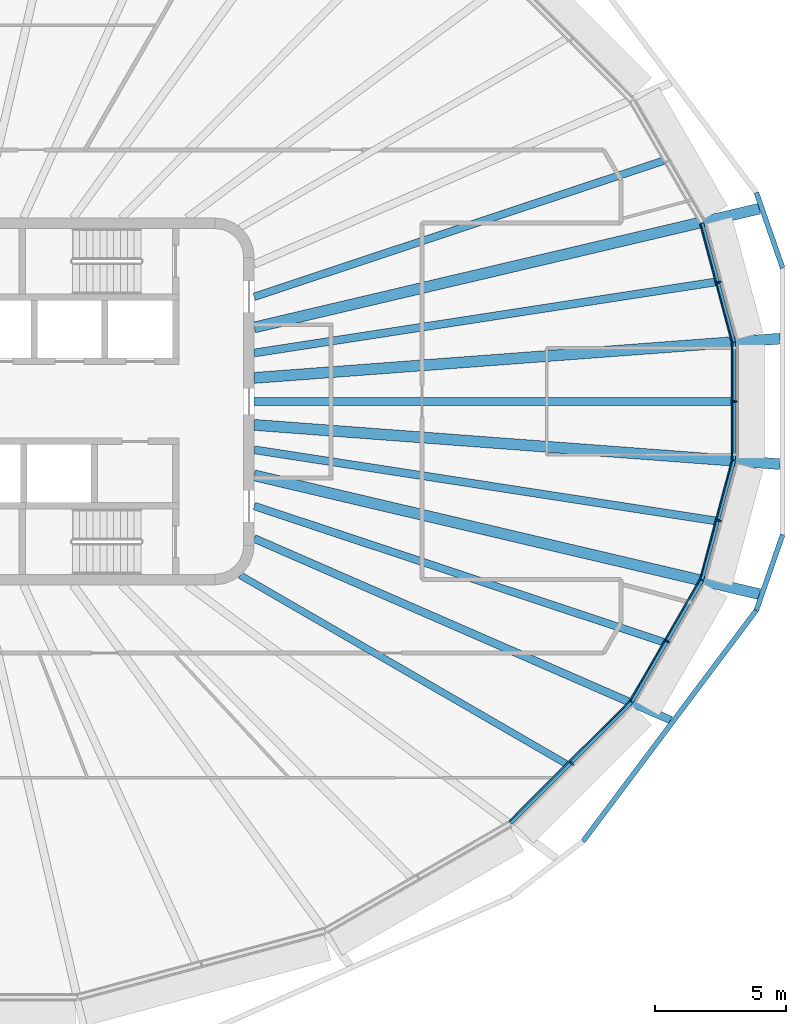
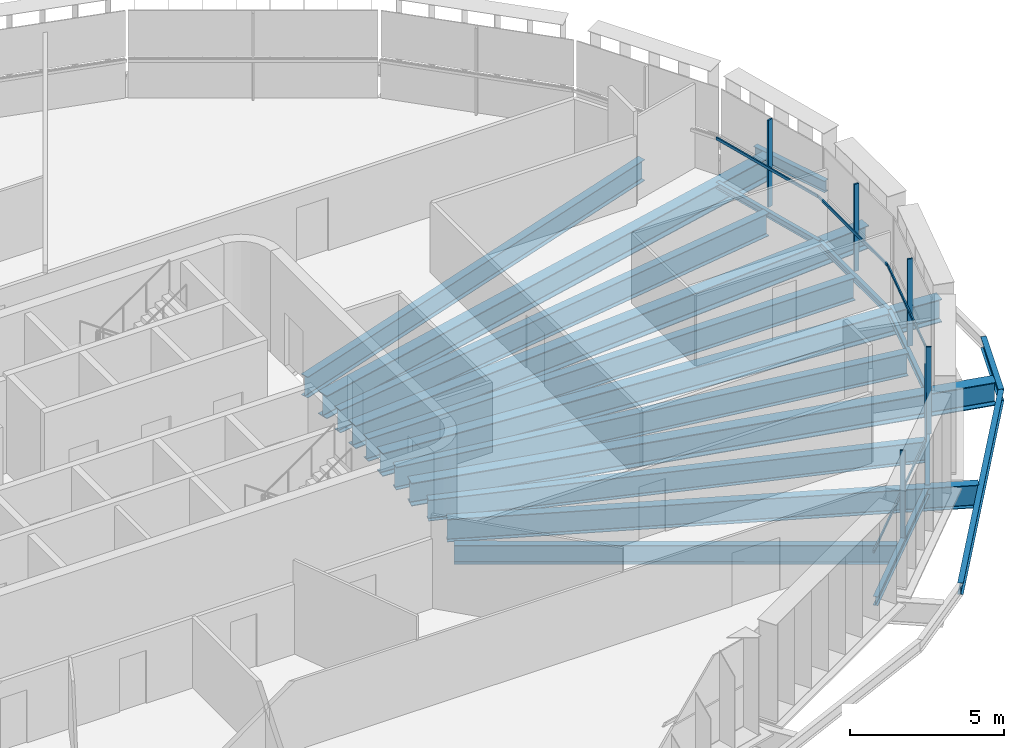
# One storey, part 4 of 20: 19 beams, 10 members, 5 elements without a shape of their own.
"""IFC4 building model written with IfcOpenShell, lengths in metres."""

from ifc_helpers import new_model, si_unit, direction, frame, origin, origin_2d, place, context, subcontext, project, spatial, rectangle, i_section, extrude, material, layer, layer_set, material_profile, profile_set, type_object, element, aggregate, save


model = new_model("IFC4")

# Units and contexts
model_context = context("Model", 3, precision=1e-05, world=origin(), true_north=direction((0.0, 1.0)))
body_context = subcontext(model_context, "Body", "Model", "MODEL_VIEW")
ifc_project = project(units=[si_unit("LENGTHUNIT", "METRE"), si_unit("AREAUNIT", "SQUARE_METRE"), si_unit("VOLUMEUNIT", "CUBIC_METRE"), si_unit("PLANEANGLEUNIT", "RADIAN"), si_unit("MASSUNIT", "GRAM", prefix="KILO")], contexts=[model_context])

# Site, building, storey
site_placement = place(None, origin())
site = spatial("IfcSite", under=ifc_project, at=site_placement, CompositionType="ELEMENT")
building_placement = place(site_placement, origin())
building = spatial("IfcBuilding", under=site, at=building_placement, Name="Sahrelin Media Tower", CompositionType="ELEMENT")
storey_placement = place(building_placement, frame((0.0, 0.0, 237.60009765625)))
storey = spatial("IfcBuildingStorey", under=building, at=storey_placement, Name="L51", CompositionType="ELEMENT", Elevation=237.60009765625)

# Beams
ifc_material_1 = material(Name="Steel S355", Category="steel")
ifc_material_profile_1 = material_profile(ifc_material_1, i_section(OverallWidth=0.14599609375, OverallDepth=0.25146484375, WebThickness=0.006103515625, FlangeThickness=0.008544921875, FilletRadius=0.007568359375, at=origin_2d()), Name="UB 254x146x31")
ifc_profile_set_1 = profile_set([ifc_material_profile_1], Name="Steel S355")
beam_type_1 = type_object("IfcBeamType", Name="Edge beam EB1", PredefinedType="BEAM", material=ifc_profile_set_1)
beam_1_placement = place(storey_placement, frame((30.300048828125, 2.240234375, -0.27587890625), z_axis=(0.0, -1.0, 0.0), x_axis=(1.0, 0.0, 0.0)))
element("IfcBeam", 1, at=beam_1_placement, inside=storey, type_object=beam_type_1, Name="Edge beam L51-01", PredefinedType="BEAM", context=body_context, shape_type="SweptSolid", body=[
    extrude(i_section(OverallWidth=0.14599609375, OverallDepth=0.25146484375, WebThickness=0.006103515625, FlangeThickness=0.008544921875, FilletRadius=0.007568359375, at=origin_2d()), origin(), (0.0, 0.0, 1.0), 4.48046875),
])
for number, where, z_axis, x_axis, name in (
    (2, (30.296142578125, -2.268798828125, -0.27587890625), (-0.258770785767, -0.965938756047, 0.0), (0.965938756047, -0.258770785767, 0.0), "Edge beam L51-02"),
    (3, (29.082763671875, 6.798095703125, -0.27587890625), (0.258770785767, -0.965938756047, 0.0), (0.965938756047, 0.258770785767, 0.0), "Edge beam L51-24"),
):
    element("IfcBeam", number, at=place(storey_placement, frame(where, z_axis=z_axis, x_axis=x_axis)), inside=storey, type_object=beam_type_1, Name=name, PredefinedType="BEAM", context=body_context, shape_type="SweptSolid", body=[
        extrude(i_section(OverallWidth=0.14599609375, OverallDepth=0.25146484375, WebThickness=0.006103515625, FlangeThickness=0.008544921875, FilletRadius=0.007568359375, at=origin_2d()), origin(), (0.0, 0.0, 1.0), 4.68896484375),
    ])
ifc_material_profile_2 = material_profile(ifc_material_1, i_section(OverallWidth=0.1650390625, OverallDepth=0.303466796875, WebThickness=0.006103515625, FlangeThickness=0.01025390625, FilletRadius=0.0087890625, at=origin_2d()), Name="UB 305x165x40")
ifc_profile_set_2 = profile_set([ifc_material_profile_2], Name="Steel S355")
beam_type_2 = type_object("IfcBeamType", Name="Edge beam EB2", PredefinedType="BEAM", material=ifc_profile_set_2)
beam_2_placement = place(storey_placement, frame((29.07177734375, -6.82470703125, -0.3017578125), z_axis=(-0.500034814518, -0.86600530268, 0.0), x_axis=(0.86600530268, -0.500034814518, 0.0)))
element("IfcBeam", 4, at=beam_2_placement, inside=storey, type_object=beam_type_2, Name="Edge beam L51-03", PredefinedType="BEAM", context=body_context, shape_type="SweptSolid", body=[
    extrude(i_section(OverallWidth=0.1650390625, OverallDepth=0.303466796875, WebThickness=0.006103515625, FlangeThickness=0.01025390625, FilletRadius=0.0087890625, at=origin_2d()), origin(), (0.0, 0.0, 1.0), 5.3447265625),
])
ifc_material_profile_3 = material_profile(ifc_material_1, i_section(OverallWidth=0.17138671875, OverallDepth=0.35498046875, WebThickness=0.00732421875, FlangeThickness=0.011474609375, FilletRadius=0.01025390625, at=origin_2d()), Name="UB 356x171x51")
ifc_profile_set_3 = profile_set([ifc_material_profile_3], Name="Steel S355")
beam_type_3 = type_object("IfcBeamType", Name="Edge beam EB3", PredefinedType="BEAM", material=ifc_profile_set_3)
beam_3_placement = place(storey_placement, frame((26.381591796875, -11.476318359375, -0.32763671875), z_axis=(-0.707106781187, -0.707106781187, 0.0), x_axis=(0.707106781187, -0.707106781187, 0.0)))
element("IfcBeam", 5, at=beam_3_placement, inside=storey, type_object=beam_type_3, Name="Edge beam L51-04", PredefinedType="BEAM", context=body_context, shape_type="SweptSolid", body=[
    extrude(i_section(OverallWidth=0.17138671875, OverallDepth=0.35498046875, WebThickness=0.00732421875, FlangeThickness=0.011474609375, FilletRadius=0.01025390625, at=origin_2d()), origin(), (0.0, 0.0, 1.0), 6.508544921875),
])

# Curtain wall, member
ifc_material_2 = material(Name="Champagne anodised aluminium 6063-T6", Category="aluminium")
ifc_layer = layer(ifc_material_2, 0.14990234375)
ifc_layer_set = layer_set([ifc_layer], Name="Tower ribbon curtain wall")
curtain_wall_type = type_object("IfcCurtainWallType", Name="Tower ribbon curtain wall", PredefinedType="NOTDEFINED", material=ifc_layer_set)
curtain_wall_1_placement = place(storey_placement, frame((30.449951171875, 0.0, 0.0), z_axis=(0.0, 0.0, 1.0), x_axis=(1.0, 0.0, 0.0)))
curtain_wall_1 = element("IfcCurtainWall", 6, at=curtain_wall_1_placement, inside=storey, type_object=curtain_wall_type, Name="L51:CW:L51-00", PredefinedType="NOTDEFINED")
ifc_material_profile_4 = material_profile(ifc_material_2, rectangle(XDim=0.06005859375, YDim=0.175048828125, at=origin_2d()), Name="Mullion 60x175")
ifc_profile_set_4 = profile_set([ifc_material_profile_4], Name="Champagne anodised aluminium 6063-T6")
member_type_1 = type_object("IfcMemberType", Name="Mullion 60x175 CW1B", PredefinedType="MULLION", material=ifc_profile_set_4)
member_1_placement = place(storey_placement, frame((30.342529296875, 0.0, 0.0), z_axis=(0.0, 0.0, 1.0), x_axis=(0.0, 1.0, 0.0)))
member_1 = element("IfcMember", 7, at=member_1_placement, type_object=member_type_1, Name="L51:CWM:L51-00", PredefinedType="MULLION", context=body_context, shape_type="SweptSolid", body=[
    extrude(rectangle(XDim=0.06005859375, YDim=0.175048828125, at=origin_2d()), origin(), (0.0, 0.0, 1.0), 3.448486328125),
])

curtain_wall_2_placement = place(storey_placement, frame((29.834228515625, 4.572265625, 0.0), z_axis=(0.0, 0.0, 1.0), x_axis=(1.0, 0.0, 0.0)))
curtain_wall_2 = element("IfcCurtainWall", 8, at=curtain_wall_2_placement, inside=storey, type_object=curtain_wall_type, Name="L51:CW:L51-01", PredefinedType="NOTDEFINED")
member_2_placement = place(storey_placement, frame((29.73046875, 4.54443359375, 0.0), z_axis=(0.0, 0.0, 1.0), x_axis=(-0.258812301662, 0.965927633163, 0.0)))
member_2 = element("IfcMember", 9, at=member_2_placement, type_object=member_type_1, Name="L51:CWM:L51-01", PredefinedType="MULLION", context=body_context, shape_type="SweptSolid", body=[
    extrude(rectangle(XDim=0.06005859375, YDim=0.175048828125, at=origin_2d()), origin(), (0.0, 0.0, 1.0), 3.448486328125),
])

curtain_wall_3_placement = place(storey_placement, frame((24.1865234375, -13.883544921875, 0.0), z_axis=(0.0, 0.0, 1.0), x_axis=(1.0, 0.0, 0.0)))
curtain_wall_3 = element("IfcCurtainWall", 10, at=curtain_wall_3_placement, inside=storey, type_object=curtain_wall_type, Name="L51:CW:L51-21", PredefinedType="NOTDEFINED")
member_3_placement = place(storey_placement, frame((24.110595703125, -13.807373046875, 0.0), z_axis=(0.0, 0.0, 1.0), x_axis=(0.707106781187, 0.707106781187, 0.0)))
member_3 = element("IfcMember", 11, at=member_3_placement, type_object=member_type_1, Name="L51:CWM:L51-21", PredefinedType="MULLION", context=body_context, shape_type="SweptSolid", body=[
    extrude(rectangle(XDim=0.06005859375, YDim=0.175048828125, at=origin_2d()), origin(), (0.0, 0.0, 1.0), 3.448486328125),
])

curtain_wall_4_placement = place(storey_placement, frame((27.865234375, -9.214111328125, 0.0), z_axis=(0.0, 0.0, 1.0), x_axis=(1.0, 0.0, 0.0)))
curtain_wall_4 = element("IfcCurtainWall", 12, at=curtain_wall_4_placement, inside=storey, type_object=curtain_wall_type, Name="L51:CW:L51-22", PredefinedType="NOTDEFINED")
member_4_placement = place(storey_placement, frame((27.772216796875, -9.16015625, 0.0), z_axis=(0.0, 0.0, 1.0), x_axis=(0.500009068969, 0.866020167749, 0.0)))
member_4 = element("IfcMember", 13, at=member_4_placement, type_object=member_type_1, Name="L51:CWM:L51-22", PredefinedType="MULLION", context=body_context, shape_type="SweptSolid", body=[
    extrude(rectangle(XDim=0.06005859375, YDim=0.175048828125, at=origin_2d()), origin(), (0.0, 0.0, 1.0), 3.448486328125),
])

curtain_wall_5_placement = place(storey_placement, frame((29.83447265625, -4.572265625, 0.0), z_axis=(0.0, 0.0, 1.0), x_axis=(1.0, 0.0, 0.0)))
curtain_wall_5 = element("IfcCurtainWall", 14, at=curtain_wall_5_placement, inside=storey, type_object=curtain_wall_type, Name="L51:CW:L51-23", PredefinedType="NOTDEFINED")
member_5_placement = place(storey_placement, frame((29.73046875, -4.54443359375, 0.0), z_axis=(0.0, 0.0, 1.0), x_axis=(0.258812301662, 0.965927633163, 0.0)))
member_5 = element("IfcMember", 15, at=member_5_placement, type_object=member_type_1, Name="L51:CWM:L51-23", PredefinedType="MULLION", context=body_context, shape_type="SweptSolid", body=[
    extrude(rectangle(XDim=0.06005859375, YDim=0.175048828125, at=origin_2d()), origin(), (0.0, 0.0, 1.0), 3.448486328125),
])

# Beams
ifc_material_profile_5 = material_profile(ifc_material_1, i_section(OverallWidth=0.30322265625, OverallDepth=0.903076171875, WebThickness=0.01513671875, FlangeThickness=0.020263671875, FilletRadius=0.01904296875, at=origin_2d()), Name="UB 914x305x201")
ifc_profile_set_5 = profile_set([ifc_material_profile_5], Name="Steel S355")
beam_type_4 = type_object("IfcBeamType", Name="Radial primary beam PB11", PredefinedType="BEAM", material=ifc_profile_set_5)
beam_4_placement = place(storey_placement, frame((12.0, -5.2314453125, -0.6015625), z_axis=(0.916675468722, -0.399632437427, 0.0), x_axis=(0.399632437427, 0.916675468722, 0.0)))
element("IfcBeam", 16, at=beam_4_placement, inside=storey, type_object=beam_type_4, Name="Radial beam L51-22", PredefinedType="BEAM", context=body_context, shape_type="SweptSolid", body=[
    extrude(i_section(OverallWidth=0.30322265625, OverallDepth=0.903076171875, WebThickness=0.01513671875, FlangeThickness=0.020263671875, FilletRadius=0.01904296875, at=origin_2d()), origin(), (0.0, 0.0, 1.0), 17.342041015625),
])
ifc_material_profile_6 = material_profile(ifc_material_1, i_section(OverallWidth=0.41845703125, OverallDepth=0.911865234375, WebThickness=0.019287109375, FlangeThickness=0.031982421875, FilletRadius=0.024169921875, at=origin_2d()), Name="UB 914x419x343")
ifc_profile_set_6 = profile_set([ifc_material_profile_6], Name="Steel S355")
beam_type_5 = type_object("IfcBeamType", Name="Radial primary beam PB12", PredefinedType="BEAM", material=ifc_profile_set_6)
beam_5_placement = place(storey_placement, frame((12.0, 0.896484375, -0.60595703125), z_axis=(0.997222650393, 0.074478087676, 0.0), x_axis=(-0.074478087676, 0.997222650393, 0.0)))
element("IfcBeam", 17, at=beam_5_placement, inside=storey, type_object=beam_type_5, Name="Radial beam L51-01", PredefinedType="BEAM", context=body_context, shape_type="SweptSolid", body=[
    extrude(i_section(OverallWidth=0.41845703125, OverallDepth=0.911865234375, WebThickness=0.019287109375, FlangeThickness=0.031982421875, FilletRadius=0.024169921875, at=origin_2d()), origin(), (0.0, 0.0, 1.0), 20.123779296875),
])
for number, where, z_axis, x_axis, name in (
    (18, (12.0, 2.8212890625, -0.60595703125), (0.973452730745, 0.228888140814, 0.0), (-0.228888140814, 0.973452730745, 0.0), "Radial beam L51-02"),
    (19, (12.0, -2.8212890625, -0.60595703125), (0.973452730745, -0.228888140814, 0.0), (0.228888140814, 0.973452730745, 0.0), "Radial beam L51-23"),
):
    element("IfcBeam", number, at=place(storey_placement, frame(where, z_axis=z_axis, x_axis=x_axis)), inside=storey, type_object=beam_type_5, Name=name, PredefinedType="BEAM", context=body_context, shape_type="SweptSolid", body=[
        extrude(i_section(OverallWidth=0.41845703125, OverallDepth=0.911865234375, WebThickness=0.019287109375, FlangeThickness=0.031982421875, FilletRadius=0.024169921875, at=origin_2d()), origin(), (0.0, 0.0, 1.0), 19.801025390625),
    ])
beam_6_placement = place(storey_placement, frame((12.0, -0.896484375, -0.60595703125), z_axis=(0.997222650393, -0.074478087676, 0.0), x_axis=(0.074478087676, 0.997222650393, 0.0)))
element("IfcBeam", 20, at=beam_6_placement, inside=storey, type_object=beam_type_5, Name="Radial beam L51-24", PredefinedType="BEAM", context=body_context, shape_type="SweptSolid", body=[
    extrude(i_section(OverallWidth=0.41845703125, OverallDepth=0.911865234375, WebThickness=0.019287109375, FlangeThickness=0.031982421875, FilletRadius=0.024169921875, at=origin_2d()), origin(), (0.0, 0.0, 1.0), 20.123779296875),
])
ifc_material_profile_7 = material_profile(ifc_material_1, i_section(OverallWidth=0.291748046875, OverallDepth=0.8349609375, WebThickness=0.013916015625, FlangeThickness=0.018798828125, FilletRadius=0.017822265625, at=origin_2d()), Name="UB 838x292x176")
ifc_profile_set_7 = profile_set([ifc_material_profile_7], Name="Steel S355")
beam_type_6 = type_object("IfcBeamType", Name="Radial secondary beam SB10", PredefinedType="BEAM", material=ifc_profile_set_7)
for number, where, z_axis, x_axis, name in (
    (21, (12.0, 3.990234375, -0.567626953125), (0.948913009395, 0.315537795835, 0.0), (-0.315537795835, 0.948913009395, 0.0), "Secondary beam L51-02"),
    (22, (12.0, -3.990234375, -0.567626953125), (0.948913009395, -0.315537795835, 0.0), (0.315537795835, 0.948913009395, 0.0), "Secondary beam L51-22"),
):
    element("IfcBeam", number, at=place(storey_placement, frame(where, z_axis=z_axis, x_axis=x_axis)), inside=storey, type_object=beam_type_6, Name=name, PredefinedType="BEAM", context=body_context, shape_type="SweptSolid", body=[
        extrude(i_section(OverallWidth=0.291748046875, OverallDepth=0.8349609375, WebThickness=0.013916015625, FlangeThickness=0.018798828125, FilletRadius=0.017822265625, at=origin_2d()), origin(), (0.0, 0.0, 1.0), 16.45556640625),
    ])
ifc_material_profile_8 = material_profile(ifc_material_1, i_section(OverallWidth=0.30322265625, OverallDepth=0.903076171875, WebThickness=0.01513671875, FlangeThickness=0.020263671875, FilletRadius=0.01904296875, at=origin_2d()), Name="UB 914x305x201")
ifc_profile_set_8 = profile_set([ifc_material_profile_8], Name="Steel S355")
beam_type_7 = type_object("IfcBeamType", Name="Radial secondary beam SB11", PredefinedType="BEAM", material=ifc_profile_set_8)
for number, where, z_axis, x_axis, name in (
    (23, (12.0, 1.847412109375, -0.6015625), (0.988358068544, 0.152145747046, 0.0), (-0.152145747046, 0.988358068544, 0.0), "Secondary beam L51-01"),
    (24, (12.0, -1.847412109375, -0.6015625), (0.988358068544, -0.152145747046, 0.0), (0.152145747046, 0.988358068544, 0.0), "Secondary beam L51-23"),
):
    element("IfcBeam", number, at=place(storey_placement, frame(where, z_axis=z_axis, x_axis=x_axis)), inside=storey, type_object=beam_type_7, Name=name, PredefinedType="BEAM", context=body_context, shape_type="SweptSolid", body=[
        extrude(i_section(OverallWidth=0.30322265625, OverallDepth=0.903076171875, WebThickness=0.01513671875, FlangeThickness=0.020263671875, FilletRadius=0.01904296875, at=origin_2d()), origin(), (0.0, 0.0, 1.0), 17.81494140625),
    ])
beam_7_placement = place(storey_placement, frame((12.0, 0.0, -0.6015625), z_axis=(1.0, 0.0, 0.0), x_axis=(0.0, 1.0, 0.0)))
element("IfcBeam", 25, at=beam_7_placement, inside=storey, type_object=beam_type_7, Name="Secondary beam L51-24", PredefinedType="BEAM", context=body_context, shape_type="SweptSolid", body=[
    extrude(i_section(OverallWidth=0.30322265625, OverallDepth=0.903076171875, WebThickness=0.01513671875, FlangeThickness=0.020263671875, FilletRadius=0.01904296875, at=origin_2d()), origin(), (0.0, 0.0, 1.0), 18.22705078125),
])
ifc_material_profile_9 = material_profile(ifc_material_1, i_section(OverallWidth=0.26513671875, OverallDepth=0.75390625, WebThickness=0.0126953125, FlangeThickness=0.017578125, FilletRadius=0.0166015625, at=origin_2d()), Name="UB 762x267x147")
ifc_profile_set_9 = profile_set([ifc_material_profile_9], Name="Steel S355")
beam_type_8 = type_object("IfcBeamType", Name="Radial secondary beam SB9", PredefinedType="BEAM", material=ifc_profile_set_9)
beam_8_placement = place(storey_placement, frame((11.465087890625, -6.634033203125, -0.527099609375), z_axis=(0.865540628134, -0.500838717602, 0.0), x_axis=(0.500838717602, 0.865540628134, 0.0)))
element("IfcBeam", 26, at=beam_8_placement, inside=storey, type_object=beam_type_8, Name="Secondary beam L51-21", PredefinedType="BEAM", context=body_context, shape_type="SweptSolid", body=[
    extrude(i_section(OverallWidth=0.26513671875, OverallDepth=0.75390625, WebThickness=0.0126953125, FlangeThickness=0.017578125, FilletRadius=0.0166015625, at=origin_2d()), origin(), (0.0, 0.0, 1.0), 14.371826171875),
])
ifc_material_profile_10 = material_profile(ifc_material_1, i_section(OverallWidth=0.1904296875, OverallDepth=0.45703125, WebThickness=0.009033203125, FlangeThickness=0.014404296875, FilletRadius=0.01025390625, at=origin_2d()), Name="UB 457x191x74")
ifc_profile_set_10 = profile_set([ifc_material_profile_10], Name="Steel S355")
beam_type_9 = type_object("IfcBeamType", Name="Tie chord TC5", PredefinedType="BEAM", material=ifc_profile_set_10)
beam_9_placement = place(storey_placement, frame((32.1630859375, 5.0927734375, -0.378662109375), z_axis=(-0.328785051496, 0.944404780755, 0.0), x_axis=(-0.944404780755, -0.328785051496, 0.0)))
element("IfcBeam", 27, at=beam_9_placement, inside=storey, type_object=beam_type_9, Name="Tie chord L51-01", PredefinedType="BEAM", context=body_context, shape_type="SweptSolid", body=[
    extrude(i_section(OverallWidth=0.1904296875, OverallDepth=0.45703125, WebThickness=0.009033203125, FlangeThickness=0.014404296875, FilletRadius=0.01025390625, at=origin_2d()), origin(), (0.0, 0.0, 1.0), 3.043701171875),
])
beam_10_placement = place(storey_placement, frame((24.545654296875, -16.788330078125, -0.378662109375), z_axis=(0.600053135992, 0.799960145249, 0.0), x_axis=(-0.799960145249, 0.600053135992, 0.0)))
element("IfcBeam", 28, at=beam_10_placement, inside=storey, type_object=beam_type_9, Name="Tie chord L51-22", PredefinedType="BEAM", context=body_context, shape_type="SweptSolid", body=[
    extrude(i_section(OverallWidth=0.1904296875, OverallDepth=0.45703125, WebThickness=0.009033203125, FlangeThickness=0.014404296875, FilletRadius=0.01025390625, at=origin_2d()), origin(), (0.0, 0.0, 1.0), 11.02685546875),
])
beam_11_placement = place(storey_placement, frame((31.162353515625, -7.96728515625, -0.378662109375), z_axis=(0.328785051496, 0.944404780755, 0.0), x_axis=(-0.944404780755, 0.328785051496, 0.0)))
element("IfcBeam", 29, at=beam_11_placement, inside=storey, type_object=beam_type_9, Name="Tie chord L51-23", PredefinedType="BEAM", context=body_context, shape_type="SweptSolid", body=[
    extrude(i_section(OverallWidth=0.1904296875, OverallDepth=0.45703125, WebThickness=0.009033203125, FlangeThickness=0.014404296875, FilletRadius=0.01025390625, at=origin_2d()), origin(), (0.0, 0.0, 1.0), 3.043701171875),
])

# Member
ifc_material_profile_11 = material_profile(ifc_material_2, rectangle(XDim=0.050048828125, YDim=0.110107421875, at=origin_2d()), Name="Transom 50x110")
ifc_profile_set_11 = profile_set([ifc_material_profile_11], Name="Champagne anodised aluminium 6063-T6")
member_type_2 = type_object("IfcMemberType", Name="Transom 50x110 CW1B", PredefinedType="USERDEFINED", material=ifc_profile_set_11)
member_6_placement = place(storey_placement, frame((30.22998046875, -2.224609375, 1.599853515625), z_axis=(0.0, 1.0, 0.0), x_axis=(-1.0, 0.0, 0.0)))
member_6 = element("IfcMember", 30, at=member_6_placement, type_object=member_type_2, Name="L51:CWT:L51-00", ObjectType="TRANSOM", PredefinedType="USERDEFINED", context=body_context, shape_type="SweptSolid", body=[
    extrude(rectangle(XDim=0.050048828125, YDim=0.110107421875, at=origin_2d()), origin(), (0.0, 0.0, 1.0), 4.44921875),
])

aggregate(curtain_wall_1, [member_1, member_6])

member_7_placement = place(storey_placement, frame((30.224609375, 2.265869140625, 1.599853515625), z_axis=(-0.258843509974, 0.965919270614, 0.0), x_axis=(-0.965919270614, -0.258843509974, 0.0)))
member_7 = element("IfcMember", 31, at=member_7_placement, type_object=member_type_2, Name="L51:CWT:L51-01", ObjectType="TRANSOM", PredefinedType="USERDEFINED", context=body_context, shape_type="SweptSolid", body=[
    extrude(rectangle(XDim=0.050048828125, YDim=0.110107421875, at=origin_2d()), origin(), (0.0, 0.0, 1.0), 4.657470703125),
])

aggregate(curtain_wall_2, [member_2, member_7])

member_8_placement = place(storey_placement, frame((21.740966796875, -16.017822265625, 1.599853515625), z_axis=(0.707125627567, 0.707087934304, 0.0), x_axis=(-0.707087934304, 0.707125627567, 0.0)))
member_8 = element("IfcMember", 32, at=member_8_placement, type_object=member_type_2, Name="L51:CWT:L51-21", ObjectType="TRANSOM", PredefinedType="USERDEFINED", context=body_context, shape_type="SweptSolid", body=[
    extrude(rectangle(XDim=0.050048828125, YDim=0.110107421875, at=origin_2d()), origin(), (0.0, 0.0, 1.0), 6.47705078125),
])

aggregate(curtain_wall_3, [member_3, member_8])

member_9_placement = place(storey_placement, frame((26.346435546875, -11.40478515625, 1.599853515625), z_axis=(0.500003519352, 0.866023371876, 0.0), x_axis=(-0.866023371876, 0.500003519352, 0.0)))
member_9 = element("IfcMember", 33, at=member_9_placement, type_object=member_type_2, Name="L51:CWT:L51-22", ObjectType="TRANSOM", PredefinedType="USERDEFINED", context=body_context, shape_type="SweptSolid", body=[
    extrude(rectangle(XDim=0.050048828125, YDim=0.110107421875, at=origin_2d()), origin(), (0.0, 0.0, 1.0), 5.3134765625),
])

aggregate(curtain_wall_4, [member_4, member_9])

member_10_placement = place(storey_placement, frame((29.01904296875, -6.7646484375, 1.599853515625), z_axis=(0.258843509974, 0.965919270614, 0.0), x_axis=(-0.965919270614, 0.258843509974, 0.0)))
member_10 = element("IfcMember", 34, at=member_10_placement, type_object=member_type_2, Name="L51:CWT:L51-23", ObjectType="TRANSOM", PredefinedType="USERDEFINED", context=body_context, shape_type="SweptSolid", body=[
    extrude(rectangle(XDim=0.050048828125, YDim=0.110107421875, at=origin_2d()), origin(), (0.0, 0.0, 1.0), 4.657470703125),
])

aggregate(curtain_wall_5, [member_5, member_10])

save(model, "model.ifc")
